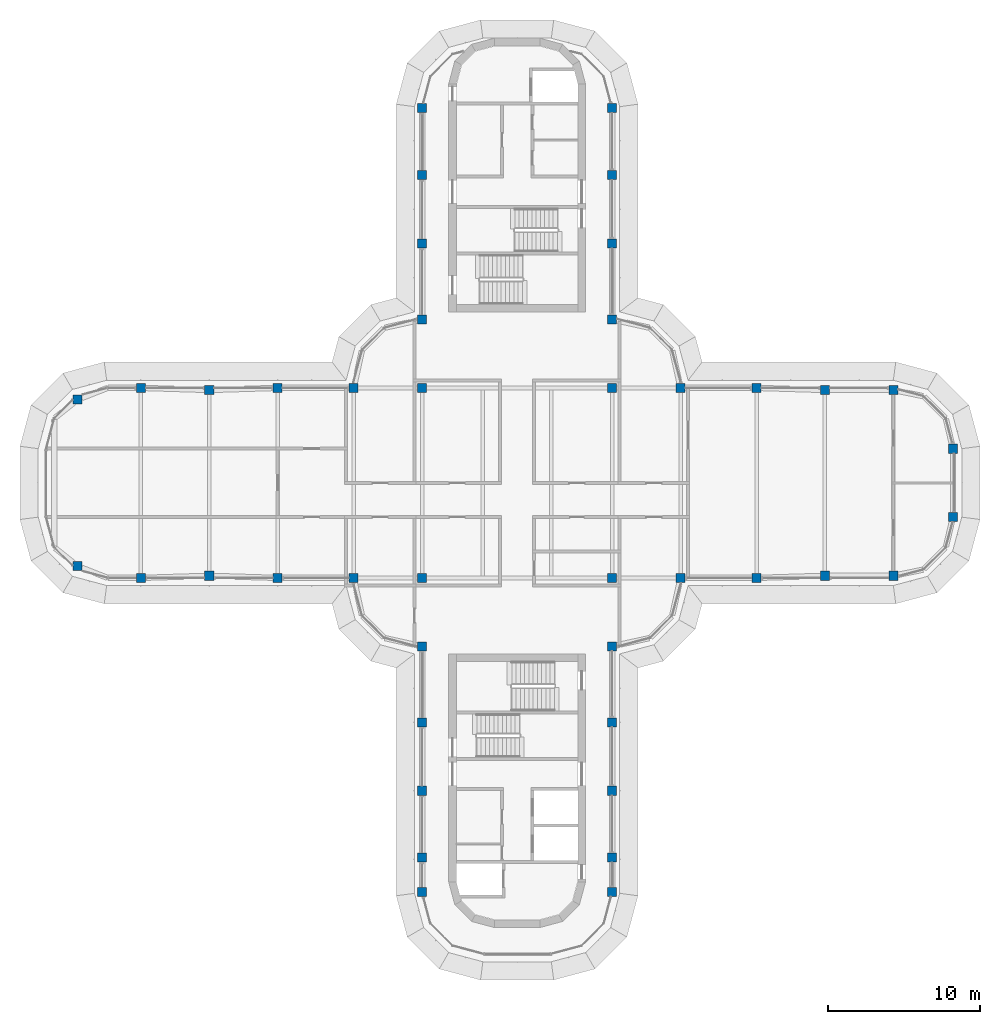
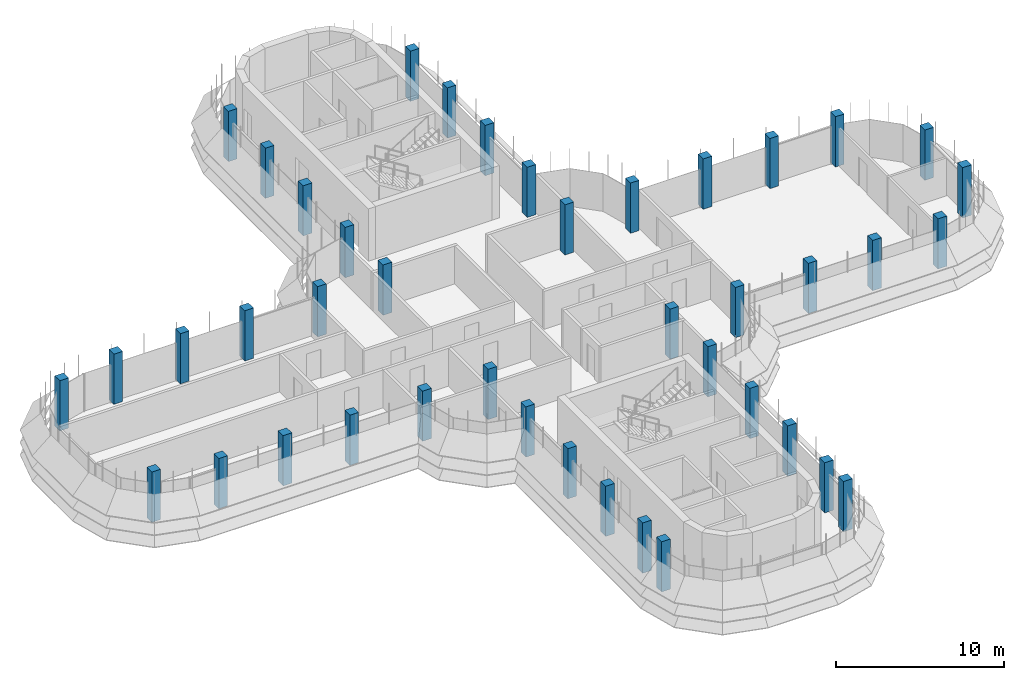
# One storey, part 1 of 19: 42 columns.
"""IFC4 building model written with IfcOpenShell, lengths in metres."""

from ifc_helpers import new_model, si_unit, direction, frame, origin, origin_2d, place, context, subcontext, project, spatial, rectangle, extrude, material, material_profile, profile_set, type_object, element, save


model = new_model("IFC4")

# Units and contexts
model_context = context("Model", 3, precision=1e-05, world=origin(), true_north=direction((0.0, 1.0)))
body_context = subcontext(model_context, "Body", "Model", "MODEL_VIEW")
ifc_project = project(units=[si_unit("LENGTHUNIT", "METRE"), si_unit("AREAUNIT", "SQUARE_METRE"), si_unit("VOLUMEUNIT", "CUBIC_METRE"), si_unit("PLANEANGLEUNIT", "RADIAN"), si_unit("MASSUNIT", "GRAM", prefix="KILO")], contexts=[model_context])

# Site, building, storey
site_placement = place(None, origin())
site = spatial("IfcSite", under=ifc_project, at=site_placement, CompositionType="ELEMENT")
building_placement = place(site_placement, origin())
building = spatial("IfcBuilding", under=site, at=building_placement, Name="Zarbagh Exchange Tower", CompositionType="ELEMENT")
storey_placement = place(building_placement, frame((0.0, 0.0, 276.39990234375)))
storey = spatial("IfcBuildingStorey", under=building, at=storey_placement, Name="L68", CompositionType="ELEMENT", Elevation=276.39990234375)

# Columns
ifc_material = material(Name="Concrete C40/50", Category="concrete")
ifc_material_profile = material_profile(ifc_material, rectangle(XDim=0.60009765625, YDim=0.60009765625, at=origin_2d()), Name="RC column 600 x 600 C40/50")
ifc_profile_set = profile_set([ifc_material_profile], Name="Concrete C40/50")
column_type = type_object("IfcColumnType", Name="RC column 600 x 600 C40/50", PredefinedType="COLUMN", material=ifc_profile_set)
for number, where, z_axis, x_axis, name in (
    (1, (-28.907958984375, -5.47509765625, 0.0), (0.0, 0.0, 1.0), (1.0, 0.0, 0.0), "C6 11/R"),
    (2, (-28.907958984375, 5.47509765625, 0.0), (0.0, 0.0, 1.0), (1.0, 0.0, 0.0), "C6 11/U"),
    (3, (-24.75, -6.25, 0.0), (0.0, 0.0, 1.0), (1.0, 0.0, 0.0), "C6 12/R"),
    (4, (-24.75, 6.25, 0.0), (0.0, 0.0, 1.0), (1.0, 0.0, 0.0), "C6 12/U"),
    (5, (-20.25, -6.110107421875, 0.0), (0.0, 0.0, 1.0), (1.0, 0.0, 0.0), "C6 13/R"),
    (6, (-20.25, 6.110107421875, 0.0), (0.0, 0.0, 1.0), (1.0, 0.0, 0.0), "C6 13/U"),
    (7, (-15.75, -6.25, 0.0), (0.0, 0.0, 1.0), (1.0, 0.0, 0.0), "C6 14/R"),
    (8, (-15.75, 6.25, 0.0), (0.0, 0.0, 1.0), (1.0, 0.0, 0.0), "C6 14/U"),
    (9, (-10.75, -6.25, 0.0), (0.0, 0.0, 1.0), (1.0, 0.0, 0.0), "C6 15/R"),
    (10, (-10.75, 6.25, 0.0), (0.0, 0.0, 1.0), (1.0, 0.0, 0.0), "C6 15/U"),
    (11, (-6.25, -26.89990234375, 0.0), (0.0, 0.0, 1.0), (1.0, 0.0, 0.0), "C6 16/L"),
    (12, (-6.25, -24.64990234375, 0.0), (0.0, 0.0, 1.0), (1.0, 0.0, 0.0), "C6 16/M"),
    (13, (-6.25, -20.25, 0.0), (0.0, 0.0, 1.0), (1.0, 0.0, 0.0), "C6 16/N"),
    (14, (-6.25, -15.75, 0.0), (0.0, 0.0, 1.0), (1.0, 0.0, 0.0), "C6 16/P"),
    (15, (-6.25, -10.75, 0.0), (0.0, 0.0, 1.0), (1.0, 0.0, 0.0), "C6 16/Q"),
    (16, (-6.25, -6.25, 0.0), (0.0, 0.0, 1.0), (1.0, 0.0, 0.0), "C6 16/R"),
    (17, (-6.25, 6.25, 0.0), (0.0, 0.0, 1.0), (1.0, 0.0, 0.0), "C6 16/U"),
    (18, (-6.25, 10.75, 0.0), (0.0, 0.0, 1.0), (1.0, 0.0, 0.0), "C6 16/V"),
    (19, (-6.25, 15.75, 0.0), (0.0, 0.0, 1.0), (1.0, 0.0, 0.0), "C6 16/W"),
    (20, (-6.25, 20.25, 0.0), (0.0, 0.0, 1.0), (1.0, 0.0, 0.0), "C6 16/X"),
    (21, (-6.25, 24.64990234375, 0.0), (0.0, 0.0, 1.0), (1.0, 0.0, 0.0), "C6 16/Y"),
    (22, (6.25, -26.89990234375, 0.0), (0.0, 0.0, 1.0), (1.0, 0.0, 0.0), "C6 19/L"),
    (23, (6.25, -24.64990234375, 0.0), (0.0, 0.0, 1.0), (1.0, 0.0, 0.0), "C6 19/M"),
    (24, (6.25, -20.25, 0.0), (0.0, 0.0, 1.0), (1.0, 0.0, 0.0), "C6 19/N"),
    (25, (6.25, -15.75, 0.0), (0.0, 0.0, 1.0), (1.0, 0.0, 0.0), "C6 19/P"),
    (26, (6.25, -10.75, 0.0), (0.0, 0.0, 1.0), (1.0, 0.0, 0.0), "C6 19/Q"),
    (27, (6.25, -6.25, 0.0), (0.0, 0.0, 1.0), (1.0, 0.0, 0.0), "C6 19/R"),
    (28, (6.25, 6.25, 0.0), (0.0, 0.0, 1.0), (1.0, 0.0, 0.0), "C6 19/U"),
    (29, (6.25, 10.75, 0.0), (0.0, 0.0, 1.0), (1.0, 0.0, 0.0), "C6 19/V"),
    (30, (6.25, 15.75, 0.0), (0.0, 0.0, 1.0), (1.0, 0.0, 0.0), "C6 19/W"),
    (31, (6.25, 20.25, 0.0), (0.0, 0.0, 1.0), (1.0, 0.0, 0.0), "C6 19/X"),
    (32, (6.25, 24.64990234375, 0.0), (0.0, 0.0, 1.0), (1.0, 0.0, 0.0), "C6 19/Y"),
    (33, (10.75, -6.25, 0.0), (0.0, 0.0, 1.0), (1.0, 0.0, 0.0), "C6 20/R"),
    (34, (10.75, 6.25, 0.0), (0.0, 0.0, 1.0), (1.0, 0.0, 0.0), "C6 20/U"),
    (35, (15.75, -6.25, 0.0), (0.0, 0.0, 1.0), (1.0, 0.0, 0.0), "C6 21/R"),
    (36, (15.75, 6.25, 0.0), (0.0, 0.0, 1.0), (1.0, 0.0, 0.0), "C6 21/U"),
    (37, (20.25, -6.110107421875, 0.0), (0.0, 0.0, 1.0), (1.0, 0.0, 0.0), "C6 22/R"),
    (38, (20.25, 6.110107421875, 0.0), (0.0, 0.0, 1.0), (1.0, 0.0, 0.0), "C6 22/U"),
    (39, (24.75, -6.110107421875, 0.0), (0.0, 0.0, 1.0), (1.0, 0.0, 0.0), "C6 23/R"),
    (40, (24.75, 6.110107421875, 0.0), (0.0, 0.0, 1.0), (1.0, 0.0, 0.0), "C6 23/U"),
    (41, (28.669921875, -2.25, 0.0), (0.0, 0.0, 1.0), (1.0, 0.0, 0.0), "C6 24/S"),
    (42, (28.669921875, 2.25, 0.0), (0.0, 0.0, 1.0), (1.0, 0.0, 0.0), "C6 24/T"),
):
    element("IfcColumn", number, at=place(storey_placement, frame(where, z_axis=z_axis, x_axis=x_axis)), inside=storey, type_object=column_type, Name=name, PredefinedType="COLUMN", context=body_context, shape_type="SweptSolid", body=[
        extrude(rectangle(XDim=0.60009765625, YDim=0.60009765625, at=origin_2d()), origin(), (0.0, 0.0, 1.0), 3.650146484375),
    ])

save(model, "model.ifc")
